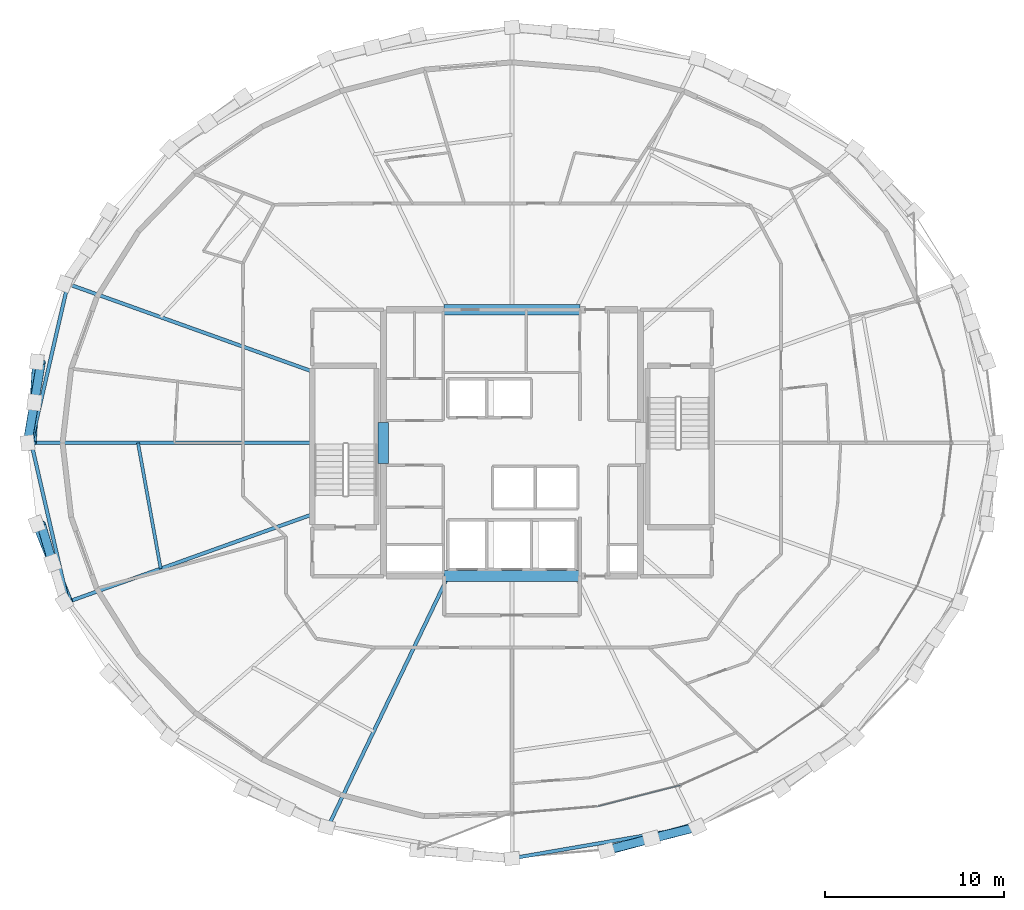
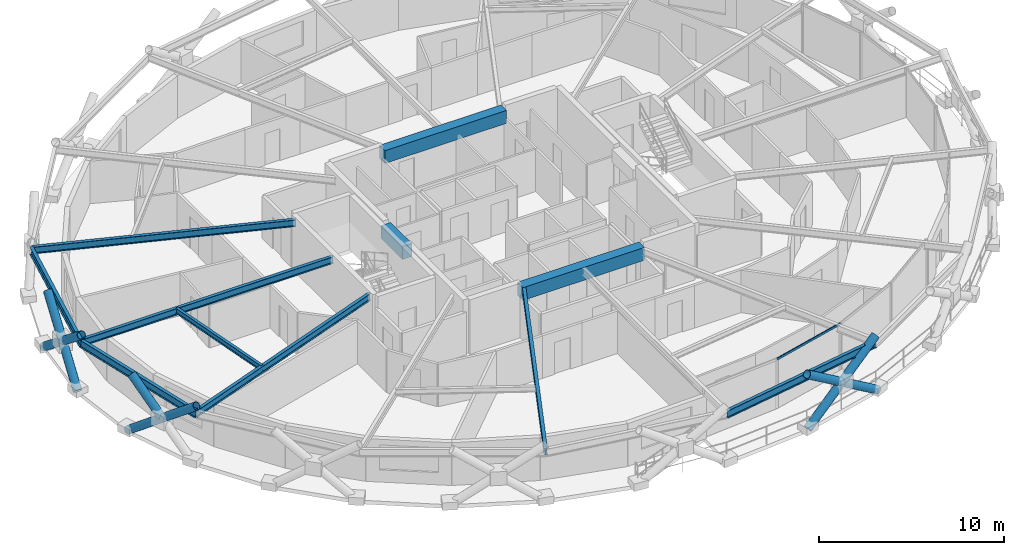
# One storey, part 3 of 16: 11 beams, 9 members, 1 element without a shape of its own.
"""IFC4 building model written with IfcOpenShell, lengths in metres."""

from ifc_helpers import new_model, si_unit, direction, frame, origin, origin_2d, place, context, subcontext, project, spatial, rectangle, hollow_rectangle, hollow_circle, i_section, extrude, material, layer, layer_set, material_profile, profile_set, type_object, element, aggregate, save


model = new_model("IFC4")

# Units and contexts
model_context = context("Model", 3, precision=1e-05, world=origin(), true_north=direction((0.0, 1.0)))
body_context = subcontext(model_context, "Body", "Model", "MODEL_VIEW")
ifc_project = project(units=[si_unit("LENGTHUNIT", "METRE"), si_unit("AREAUNIT", "SQUARE_METRE"), si_unit("VOLUMEUNIT", "CUBIC_METRE"), si_unit("PLANEANGLEUNIT", "RADIAN"), si_unit("MASSUNIT", "GRAM", prefix="KILO")], contexts=[model_context])

# Site, building, storey
site_placement = place(None, origin())
site = spatial("IfcSite", under=ifc_project, at=site_placement, CompositionType="ELEMENT")
building_placement = place(site_placement, origin())
building = spatial("IfcBuilding", under=site, at=building_placement, Name="Veldorina Hangang Commons", CompositionType="ELEMENT")
storey_placement = place(building_placement, frame((0.0, 0.0, 189.199951171875)))
storey = spatial("IfcBuildingStorey", under=building, at=storey_placement, Name="L49", CompositionType="ELEMENT", Elevation=189.199951171875)

# Beams
ifc_material_1 = material(Name="Concrete C60/75", Category="concrete")
ifc_material_profile_1 = material_profile(ifc_material_1, rectangle(XDim=0.60009765625, YDim=0.85009765625, at=origin_2d()), Name="RC-CB-600x850")
ifc_profile_set_1 = profile_set([ifc_material_profile_1], Name="Concrete C60/75")
beam_type_1 = type_object("IfcBeamType", Name="BM-CB850", PredefinedType="LINTEL", material=ifc_profile_set_1)
beam_1_placement = place(storey_placement, frame((24.800048828125, 22.85009765625, 2.925048828125), z_axis=(0.0, 1.0, 0.0), x_axis=(-1.0, 0.0, 0.0)))
element("IfcBeam", 1, at=beam_1_placement, inside=storey, type_object=beam_type_1, Name="L49 W core coupling lintel beam", PredefinedType="LINTEL", context=body_context, shape_type="SweptSolid", body=[
    extrude(rectangle(XDim=0.60009765625, YDim=0.85009765625, at=origin_2d()), origin(), (0.0, 0.0, 1.0), 2.2998046875),
])
for number, where, z_axis, x_axis, name in (
    (2, (28.199951171875, 16.550048828125, 2.925048828125), (1.0, 0.0, 0.0), (0.0, 1.0, 0.0), "L49 south core coupling beam"),
    (3, (28.199951171875, 31.449951171875, 2.925048828125), (1.0, 0.0, 0.0), (0.0, 1.0, 0.0), "L49 north core coupling beam"),
):
    element("IfcBeam", number, at=place(storey_placement, frame(where, z_axis=z_axis, x_axis=x_axis)), inside=storey, type_object=beam_type_1, Name=name, PredefinedType="LINTEL", context=body_context, shape_type="SweptSolid", body=[
        extrude(rectangle(XDim=0.60009765625, YDim=0.85009765625, at=origin_2d()), origin(), (0.0, 0.0, 1.0), 7.60009765625),
    ])
ifc_material_2 = material(Name="Steel SM355-TMC", Category="steel")
ifc_material_profile_2 = material_profile(ifc_material_2, i_section(OverallWidth=0.199951171875, OverallDepth=0.449951171875, WebThickness=0.009033203125, FlangeThickness=0.013916015625, FilletRadius=0.01611328125, at=origin_2d()), Name="H-450x200x9x14")
ifc_profile_set_2 = profile_set([ifc_material_profile_2], Name="Steel SM355-TMC")
beam_type_2 = type_object("IfcBeamType", Name="BM-FG450", PredefinedType="BEAM", material=ifc_profile_set_2)
beam_2_placement = place(storey_placement, frame((20.820068359375, 28.001953125, 3.125), z_axis=(-0.941499278535, 0.337014997468, 0.0), x_axis=(-0.337014997468, -0.941499278535, 0.0)))
element("IfcBeam", 4, at=beam_2_placement, inside=storey, type_object=beam_type_2, Name="L49 radial floor girder 08", PredefinedType="BEAM", context=body_context, shape_type="SweptSolid", body=[
    extrude(i_section(OverallWidth=0.199951171875, OverallDepth=0.449951171875, WebThickness=0.009033203125, FlangeThickness=0.013916015625, FilletRadius=0.01611328125, at=origin_2d()), origin(), (0.0, 0.0, 1.0), 14.515869140625),
])
beam_3_placement = place(storey_placement, frame((20.820068359375, 24.0, 3.125), z_axis=(-1.0, 0.0, 0.0), x_axis=(0.0, -1.0, 0.0)))
element("IfcBeam", 5, at=beam_3_placement, inside=storey, type_object=beam_type_2, Name="L49 radial floor girder 09", PredefinedType="BEAM", context=body_context, shape_type="SweptSolid", body=[
    extrude(i_section(OverallWidth=0.199951171875, OverallDepth=0.449951171875, WebThickness=0.009033203125, FlangeThickness=0.013916015625, FilletRadius=0.01611328125, at=origin_2d()), origin(), (0.0, 0.0, 1.0), 15.7138671875),
])
beam_4_placement = place(storey_placement, frame((20.820068359375, 19.998046875, 3.125), z_axis=(-0.941499278535, -0.337014997468, 0.0), x_axis=(0.337014997468, -0.941499278535, 0.0)))
element("IfcBeam", 6, at=beam_4_placement, inside=storey, type_object=beam_type_2, Name="L49 radial floor girder 10", PredefinedType="BEAM", context=body_context, shape_type="SweptSolid", body=[
    extrude(i_section(OverallWidth=0.199951171875, OverallDepth=0.449951171875, WebThickness=0.009033203125, FlangeThickness=0.013916015625, FilletRadius=0.01611328125, at=origin_2d()), origin(), (0.0, 0.0, 1.0), 14.515869140625),
])
beam_5_placement = place(storey_placement, frame((28.42919921875, 16.550048828125, 3.125), z_axis=(-0.432242013967, -0.901757640035, 0.0), x_axis=(0.901757640035, -0.432242013967, 0.0)))
element("IfcBeam", 7, at=beam_5_placement, inside=storey, type_object=beam_type_2, Name="L49 radial floor girder 12", PredefinedType="BEAM", context=body_context, shape_type="SweptSolid", body=[
    extrude(i_section(OverallWidth=0.199951171875, OverallDepth=0.449951171875, WebThickness=0.009033203125, FlangeThickness=0.013916015625, FilletRadius=0.01611328125, at=origin_2d()), origin(), (0.0, 0.0, 1.0), 15.549560546875),
])
ifc_material_profile_3 = material_profile(ifc_material_2, i_section(OverallWidth=0.175048828125, OverallDepth=0.35009765625, WebThickness=0.007080078125, FlangeThickness=0.010986328125, FilletRadius=0.012939453125, at=origin_2d()), Name="H-350x175x7x11")
ifc_profile_set_3 = profile_set([ifc_material_profile_3], Name="Steel SM355-TMC")
beam_type_3 = type_object("IfcBeamType", Name="BM-JST350", PredefinedType="JOIST", material=ifc_profile_set_3)
beam_6_placement = place(storey_placement, frame((11.077392578125, 24.0, 3.175048828125), z_axis=(0.177559877972, -0.984109998798, 0.0), x_axis=(0.984109998798, 0.177559877972, 0.0)))
element("IfcBeam", 8, at=beam_6_placement, inside=storey, type_object=beam_type_3, Name="L49 secondary floor joist 09", PredefinedType="JOIST", context=body_context, shape_type="SweptSolid", body=[
    extrude(i_section(OverallWidth=0.175048828125, OverallDepth=0.35009765625, WebThickness=0.007080078125, FlangeThickness=0.010986328125, FilletRadius=0.012939453125, at=origin_2d()), origin(), (0.0, 0.0, 1.0), 7.1484375),
])
ifc_material_3 = material(Name="Steel SM420-TMC", Category="steel")
ifc_material_profile_4 = material_profile(ifc_material_3, i_section(OverallWidth=0.199951171875, OverallDepth=0.5, WebThickness=0.010009765625, FlangeThickness=0.01611328125, FilletRadius=0.01611328125, at=origin_2d()), Name="H-500x200x10x16")
ifc_profile_set_4 = profile_set([ifc_material_profile_4], Name="Steel SM420-TMC")
beam_type_4 = type_object("IfcBeamType", Name="BM-RB500", PredefinedType="BEAM", material=ifc_profile_set_4)
for number, where, z_axis, x_axis, name in (
    (9, (7.1533203125, 32.89404296875, 3.10009765625), (-0.224302669526, -0.974519529021, 0.0), (0.974519529021, -0.224302669526, 0.0), "L49 perimeter hoop ring beam 14"),
    (10, (5.106201171875, 24.0, 3.10009765625), (0.224302669526, -0.974519529021, 0.0), (0.974519529021, 0.224302669526, 0.0), "L49 perimeter hoop ring beam 16"),
):
    element("IfcBeam", number, at=place(storey_placement, frame(where, z_axis=z_axis, x_axis=x_axis)), inside=storey, type_object=beam_type_4, Name=name, PredefinedType="BEAM", context=body_context, shape_type="SweptSolid", body=[
        extrude(i_section(OverallWidth=0.199951171875, OverallDepth=0.5, WebThickness=0.010009765625, FlangeThickness=0.01611328125, FilletRadius=0.01611328125, at=origin_2d()), origin(), (0.0, 0.0, 1.0), 9.126708984375),
    ])
beam_7_placement = place(storey_placement, frame((32.0, 0.7587890625, 3.10009765625), z_axis=(0.985543279827, 0.169423857788, 0.0), x_axis=(-0.169423857788, 0.985543279827, 0.0)))
element("IfcBeam", 11, at=beam_7_placement, inside=storey, type_object=beam_type_4, Name="L49 perimeter hoop ring beam 24", PredefinedType="BEAM", context=body_context, shape_type="SweptSolid", body=[
    extrude(i_section(OverallWidth=0.199951171875, OverallDepth=0.5, WebThickness=0.010009765625, FlangeThickness=0.01611328125, FilletRadius=0.01611328125, at=origin_2d()), origin(), (0.0, 0.0, 1.0), 10.44287109375),
])

# Curtain wall, member
ifc_material_4 = material(Name="Glass Low-E Triple IGU", Category="glass")
ifc_layer = layer(ifc_material_4, 0.179931640625)
ifc_layer_set = layer_set([ifc_layer], Name="Glass Low-E Triple IGU")
curtain_wall_type = type_object("IfcCurtainWallType", Name="CW-SYS-Z2", PredefinedType="NOTDEFINED", material=ifc_layer_set)
curtain_wall_placement = place(storey_placement, origin())
curtain_wall = element("IfcCurtainWall", 12, at=curtain_wall_placement, inside=storey, type_object=curtain_wall_type, Name="L49 unitised curtain wall CW-L49-R1", PredefinedType="NOTDEFINED")
ifc_material_5 = material(Name="Aluminium Anodized AA6063-T6", Category="aluminium")
ifc_material_profile_5 = material_profile(ifc_material_5, hollow_rectangle(XDim=0.06005859375, YDim=0.139892578125, WallThickness=0.00341796875, at=origin_2d()), Name="ALU-RHS-140x60x3.5")
ifc_profile_set_5 = profile_set([ifc_material_profile_5], Name="Aluminium Anodized AA6063-T6")
member_type_1 = type_object("IfcMemberType", Name="CW-TRN-140", PredefinedType="USERDEFINED", material=ifc_profile_set_5)
member_1_placement = place(storey_placement, frame((36.796142578125, 3.666748046875, 3.27001953125), z_axis=(0.96879439923, 0.247865713683, 0.0), x_axis=(-0.247865713683, 0.96879439923, 0.0)))
member_1 = element("IfcMember", 13, at=member_1_placement, type_object=member_type_1, Name="CW-L49-R1 facet 2 transom 1", ObjectType="TRANSOM", PredefinedType="USERDEFINED", context=body_context, shape_type="SweptSolid", body=[
    extrude(hollow_rectangle(XDim=0.06005859375, YDim=0.139892578125, WallThickness=0.00341796875, at=origin_2d()), origin(), (0.0, 0.0, 1.0), 4.76025390625),
])
aggregate(curtain_wall, [member_1])

# Members
ifc_material_profile_6 = material_profile(ifc_material_3, hollow_circle(Radius=0.25, WallThickness=0.02490234375, at=origin_2d()), Name="CHS-500x25")
ifc_profile_set_6 = profile_set([ifc_material_profile_6], Name="Steel SM420-TMC")
member_type_2 = type_object("IfcMemberType", Name="DG-CHS500", PredefinedType="BRACE", material=ifc_profile_set_6)
member_2_placement = place(storey_placement, frame((5.416748046875, 28.5361328125, 0.0), z_axis=(-0.047752263075, -0.782395985835, 0.620947858295), x_axis=(0.998142651382, -0.06092000897, 0.0)))
element("IfcMember", 14, at=member_2_placement, inside=storey, type_object=member_type_2, Name="L49 continuous perimeter diagrid brace 15", PredefinedType="BRACE", context=body_context, shape_type="SweptSolid", body=[
    extrude(hollow_circle(Radius=0.25, WallThickness=0.02490234375, at=origin_2d()), origin(), (0.0, 0.0, 1.0), 5.7978515625),
])
member_3_placement = place(storey_placement, frame((4.89599609375, 24.0, 0.0), z_axis=(0.130913690878, 0.776370017357, 0.61653159018), x_axis=(-0.986079342395, 0.166275465725, 0.0)))
element("IfcMember", 15, at=member_3_placement, inside=storey, type_object=member_type_2, Name="L49 split perimeter diagrid lower brace 16", PredefinedType="BRACE", context=body_context, shape_type="SweptSolid", body=[
    extrude(hollow_circle(Radius=0.25, WallThickness=0.02490234375, at=origin_2d()), origin(), (0.0, 0.0, 1.0), 2.92041015625),
])
member_4_placement = place(storey_placement, frame((5.2783203125, 26.267333984375, 1.800537109375), z_axis=(0.129412376206, 0.776557911001, 0.616611910157), x_axis=(-0.98639679553, 0.164381756187, 0.0)))
element("IfcMember", 16, at=member_4_placement, inside=storey, type_object=member_type_2, Name="L49 split perimeter diagrid upper brace 16", PredefinedType="BRACE", context=body_context, shape_type="SweptSolid", body=[
    extrude(hollow_circle(Radius=0.25, WallThickness=0.02490234375, at=origin_2d()), origin(), (0.0, 0.0, 1.0), 2.91845703125),
])
member_5_placement = place(storey_placement, frame((5.416748046875, 19.4638671875, 0.0), z_axis=(0.298514317369, -0.735752661524, 0.607912183943), x_axis=(0.92663565141, 0.375960595723, 0.0)))
element("IfcMember", 17, at=member_5_placement, inside=storey, type_object=member_type_2, Name="L49 continuous perimeter diagrid brace 17", PredefinedType="BRACE", context=body_context, shape_type="SweptSolid", body=[
    extrude(hollow_circle(Radius=0.25, WallThickness=0.02490234375, at=origin_2d()), origin(), (0.0, 0.0, 1.0), 5.922119140625),
])
member_6_placement = place(storey_placement, frame((6.30126953125, 17.28369140625, 1.80126953125), z_axis=(-0.222425839762, 0.752359821215, 0.620065678156), x_axis=(-0.958969997451, -0.283507573072, 0.0)))
element("IfcMember", 18, at=member_6_placement, inside=storey, type_object=member_type_2, Name="L49 split perimeter diagrid upper brace 18", PredefinedType="BRACE", context=body_context, shape_type="SweptSolid", body=[
    extrude(hollow_circle(Radius=0.25, WallThickness=0.02490234375, at=origin_2d()), origin(), (0.0, 0.0, 1.0), 2.901123046875),
])
member_7_placement = place(storey_placement, frame((37.28759765625, 1.1953125, 0.0), z_axis=(0.792624688354, 0.211880939242, 0.57171021593), x_axis=(-0.258247897084, 0.966078683986, 0.0)))
element("IfcMember", 19, at=member_7_placement, inside=storey, type_object=member_type_2, Name="L49 continuous perimeter diagrid brace 25", PredefinedType="BRACE", context=body_context, shape_type="SweptSolid", body=[
    extrude(hollow_circle(Radius=0.25, WallThickness=0.02490234375, at=origin_2d()), origin(), (0.0, 0.0, 1.0), 6.297119140625),
])
member_8_placement = place(storey_placement, frame((42.372314453125, 2.518310546875, 0.0), z_axis=(-0.801758062473, -0.203077626846, 0.56208850436), x_axis=(0.245536515558, -0.96938734236, 0.0)))
element("IfcMember", 20, at=member_8_placement, inside=storey, type_object=member_type_2, Name="L49 split perimeter diagrid lower brace 26", PredefinedType="BRACE", context=body_context, shape_type="SweptSolid", body=[
    extrude(hollow_circle(Radius=0.25, WallThickness=0.02490234375, at=origin_2d()), origin(), (0.0, 0.0, 1.0), 3.2158203125),
])
member_9_placement = place(storey_placement, frame((39.7939453125, 1.865234375, 1.8076171875), z_axis=(-0.800896097979, -0.206406259454, 0.562104880161), x_axis=(0.249564447347, -0.968358191281, 0.0)))
element("IfcMember", 21, at=member_9_placement, inside=storey, type_object=member_type_2, Name="L49 split perimeter diagrid upper brace 26", PredefinedType="BRACE", context=body_context, shape_type="SweptSolid", body=[
    extrude(hollow_circle(Radius=0.25, WallThickness=0.02490234375, at=origin_2d()), origin(), (0.0, 0.0, 1.0), 3.18896484375),
])

save(model, "model.ifc")
